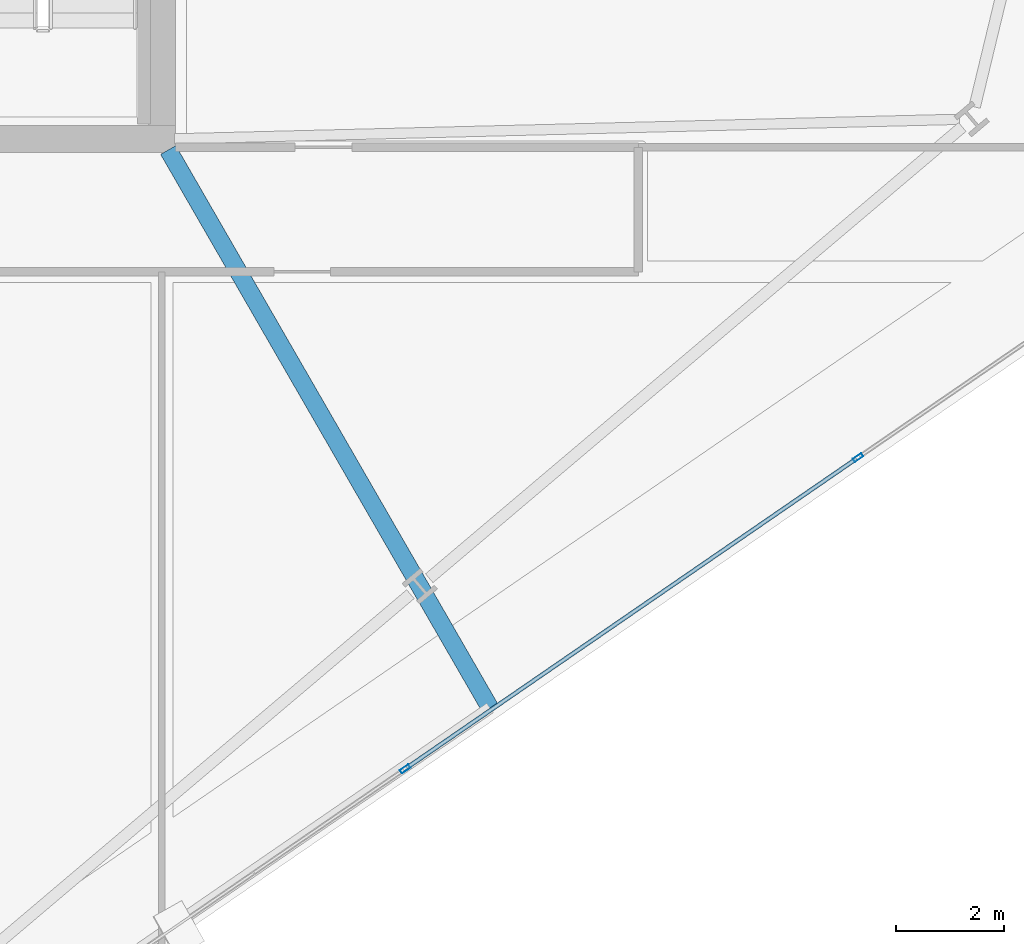
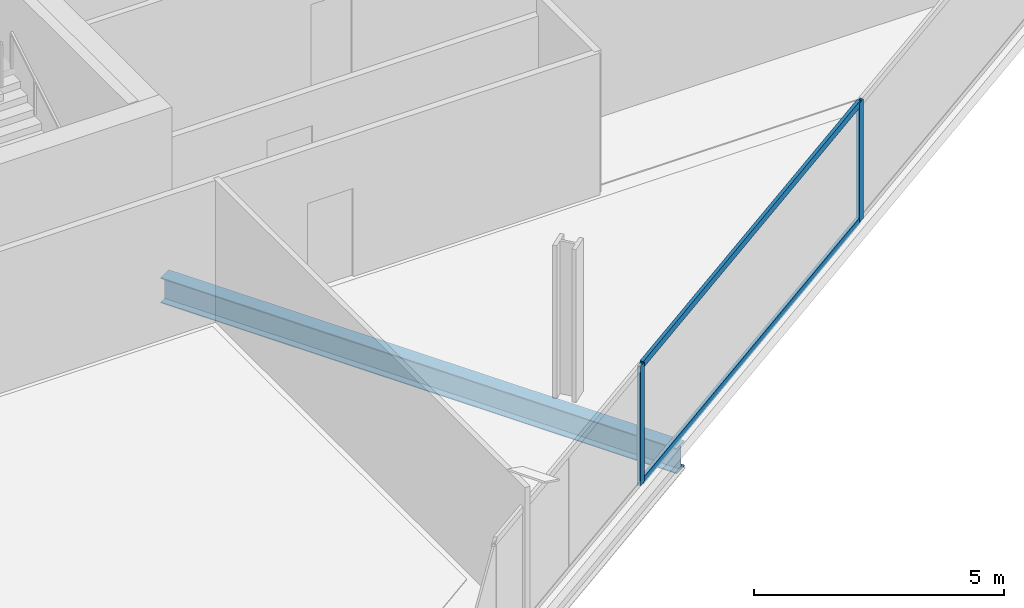
# One storey, part 8 of 29: 4 members, 1 beam, 1 element without a shape of its own.
"""IFC4 building model written with IfcOpenShell, lengths in metres."""

import ifcopenshell
import ifcopenshell.guid

model = None  # the IFC model being written
_history = None  # IfcOwnerHistory: only IFC2X3 demands one
_inside = {}  # id of a spatial element -> (the spatial element, [elements in it])
_under = {}  # id of a project, library or spatial element -> (it, [spatial elements below it])
_declared = {}  # id of a project -> (the project, [libraries it declares])
_typed = {}  # id of a type object -> (the type object, [elements of that type])
_made_of = {}  # id of a material, layer set ... -> (it, [elements and type objects made of it])


def new_model(schema):
    """Start an empty IFC model of exactly this schema.

    Asked for "IFC4X3", IfcOpenShell would pick the latest addendum, in which some entities
    have other attributes; the version numbers below select the first issue.
    IFC2X3 requires an IfcOwnerHistory on every rooted entity: one is made here for all.
    """
    global model, _history
    if schema == "IFC4X3":
        model = ifcopenshell.file(schema_version=(4, 3, 0, 0))
    else:
        model = ifcopenshell.file(schema=schema)
    _inside.clear()
    _under.clear()
    _declared.clear()
    _typed.clear()
    _made_of.clear()
    _history = None
    if model.schema == "IFC2X3":
        org = make("IfcOrganization", Name="unknown")
        user = make(
            "IfcPersonAndOrganization",
            ThePerson=make("IfcPerson", FamilyName="unknown"),
            TheOrganization=org,
        )
        app = make(
            "IfcApplication",
            ApplicationDeveloper=org,
            Version="unknown",
            ApplicationFullName="unknown",
            ApplicationIdentifier="unknown",
        )
        _history = make(
            "IfcOwnerHistory",
            OwningUser=user,
            OwningApplication=app,
            ChangeAction="ADDED",
            CreationDate=0,
        )
    return model


def make(cls, **values):
    """One entity of the class cls with the attributes given. An attribute that is None is left unset."""
    return model.create_entity(
        cls, **{name: value for name, value in values.items() if value is not None}
    )


def rooted(cls, **values):
    """An entity with a GlobalId (a new one), such as an element, a storey or a relation."""
    return make(cls, GlobalId=ifcopenshell.guid.new(), OwnerHistory=_history, **values)


def si_unit(unit_type, name, prefix=None):
    """IfcSIUnit, for example si_unit("LENGTHUNIT", "METRE", prefix="MILLI")."""
    return make("IfcSIUnit", UnitType=unit_type, Prefix=prefix, Name=name)


def assignment(units):
    """IfcUnitAssignment: the units of a project."""
    return None if units is None else make("IfcUnitAssignment", Units=units)


def point(xyz):
    """IfcCartesianPoint."""
    return None if xyz is None else make("IfcCartesianPoint", Coordinates=xyz)


def direction(xyz):
    """IfcDirection."""
    return None if xyz is None else make("IfcDirection", DirectionRatios=xyz)


def frame(location, z_axis=None, x_axis=None):
    """IfcAxis2Placement3D, a coordinate frame: its origin and axes. An axis left out is left unset."""
    return make(
        "IfcAxis2Placement3D",
        Location=point(location),
        Axis=direction(z_axis),
        RefDirection=direction(x_axis),
    )


def frame_2d(location, x_axis=None):
    """IfcAxis2Placement2D, a coordinate frame in the plane: its origin and x axis."""
    return make(
        "IfcAxis2Placement2D", Location=point(location), RefDirection=direction(x_axis)
    )


def origin():
    """The frame at (0, 0, 0) with its axes left unset."""
    return frame((0.0, 0.0, 0.0))


def origin_2d():
    """The frame at (0, 0) in the plane with its x axis left unset."""
    return frame_2d((0.0, 0.0))


def place(relative_to, where):
    """IfcLocalPlacement: puts the frame where relative to a parent placement (None: the world)."""
    return make(
        "IfcLocalPlacement", PlacementRelTo=relative_to, RelativePlacement=where
    )


def context(
    kind, dimensions, precision=None, world=None, true_north=None, identifier=None
):
    """IfcGeometricRepresentationContext, for example the 3D "Model" context."""
    return make(
        "IfcGeometricRepresentationContext",
        ContextIdentifier=identifier,
        ContextType=kind,
        CoordinateSpaceDimension=dimensions,
        Precision=precision,
        WorldCoordinateSystem=world,
        TrueNorth=true_north,
    )


def subcontext(parent, identifier, kind, view, scale=None):
    """IfcGeometricRepresentationSubContext, for example "Body" below "Model"."""
    return make(
        "IfcGeometricRepresentationSubContext",
        ContextIdentifier=identifier,
        ContextType=kind,
        ParentContext=parent,
        TargetScale=scale,
        TargetView=view,
    )


def project(units=None, contexts=None):
    """IfcProject with its units and contexts."""
    return rooted(
        "IfcProject",
        Name="project",
        RepresentationContexts=contexts,
        UnitsInContext=assignment(units),
    )


def spatial(cls, under=None, at=None, **own):
    """A site, building, storey or space (cls), placed at a placement, below another one or the project."""
    s = rooted(cls, ObjectPlacement=at, **own)
    if under is not None:
        _under.setdefault(under.id(), (under, []))[1].append(s)
    return s


def profile(cls, at=None, kind="AREA", **sizes):
    """A parametric profile (cls). Its sizes go by their IFC names, for example OverallWidth=200.0."""
    return make(cls, ProfileType=kind, Position=at, **sizes)


def hollow_rectangle(**sizes):
    """IfcRectangleHollowProfileDef."""
    return profile("IfcRectangleHollowProfileDef", **sizes)


def i_section(**sizes):
    """IfcIShapeProfileDef."""
    return profile("IfcIShapeProfileDef", **sizes)


def extrude(swept, where, along, depth):
    """IfcExtrudedAreaSolid: the profile swept, set in the frame where, extruded along a direction by depth."""
    return make(
        "IfcExtrudedAreaSolid",
        SweptArea=swept,
        Position=where,
        ExtrudedDirection=direction(along),
        Depth=depth,
    )


def shape(context_of_items, identifier, shape_type, items):
    """IfcShapeRepresentation: the items that make up one representation, for example the "Body"."""
    return make(
        "IfcShapeRepresentation",
        ContextOfItems=context_of_items,
        RepresentationIdentifier=identifier,
        RepresentationType=shape_type,
        Items=items,
    )


def material(Name=None, Category=None):
    """IfcMaterial."""
    return make("IfcMaterial", Name=Name, Category=Category)


def material_profile(
    of_material, cross_section, Name=None, Category=None, Priority=None
):
    """IfcMaterialProfile: a cross section and its material."""
    return make(
        "IfcMaterialProfile",
        Name=Name,
        Material=of_material,
        Profile=cross_section,
        Priority=Priority,
        Category=Category,
    )


def profile_set(profiles, Name=None, composite=None):
    """IfcMaterialProfileSet."""
    return make(
        "IfcMaterialProfileSet",
        Name=Name,
        MaterialProfiles=profiles,
        CompositeProfile=composite,
    )


def made_of(thing, what):
    """Note that an element or type object is made of a material, layer set ...; save() writes the relation."""
    if what is not None:
        _made_of.setdefault(what.id(), (what, []))[1].append(thing)
    return thing


def type_object(cls, material=None, **own):
    """A type object (cls), such as IfcWallType, which elements share."""
    return made_of(rooted(cls, **own), material)


def element(
    cls,
    number,
    at=None,
    inside=None,
    cuts=None,
    type_object=None,
    material=None,
    context=None,
    identifier="Body",
    shape_type=None,
    held_by="IfcProductDefinitionShape",
    body=None,
    shapes=None,
    **own,
):
    """One element of the class cls, such as IfcWall. Its Tag is "e" and its number.

    at: its placement. inside: the storey or other place that contains it. cuts: it is an
    opening in that element (IfcRelVoidsElement). A single representation is given by context,
    identifier, shape_type and body (its items); several are given by shapes. held_by: the class
    of the entity that holds the representations. save() writes the other relations.
    """
    e = rooted(cls, Tag="e%d" % number, ObjectPlacement=at, **own)
    if body is not None:
        shapes = [shape(context, identifier, shape_type, body)]
    if shapes is not None:
        e.Representation = make(held_by, Representations=shapes)
    if inside is not None:
        _inside.setdefault(inside.id(), (inside, []))[1].append(e)
    if cuts is not None:
        rooted(
            "IfcRelVoidsElement", RelatingBuildingElement=cuts, RelatedOpeningElement=e
        )
    if type_object is not None:
        _typed.setdefault(type_object.id(), (type_object, []))[1].append(e)
    return made_of(e, material)


def aggregate(whole, parts):
    """IfcRelAggregates: a whole, such as a stair, and the parts it consists of."""
    return rooted("IfcRelAggregates", RelatingObject=whole, RelatedObjects=parts)


def save(model, path):
    """Write the relations noted so far, then the file.

    IfcRelAggregates (storeys below a building ...), IfcRelContainedInSpatialStructure (elements
    in a storey), IfcRelDefinesByType, IfcRelAssociatesMaterial and IfcRelDeclares: one each for
    every whole, place, type object, material and project.
    """
    for whole, parts in _under.values():
        aggregate(whole, parts)
    for where, things in _inside.values():
        rooted(
            "IfcRelContainedInSpatialStructure",
            RelatedElements=things,
            RelatingStructure=where,
        )
    for kind, things in _typed.values():
        rooted("IfcRelDefinesByType", RelatedObjects=things, RelatingType=kind)
    for what, things in _made_of.values():
        rooted("IfcRelAssociatesMaterial", RelatedObjects=things, RelatingMaterial=what)
    for by, libraries in _declared.values():
        rooted("IfcRelDeclares", RelatingContext=by, RelatedDefinitions=libraries)
    model.write(path)


model = new_model("IFC4")

# Units and contexts
model_context = context("Model", 3, precision=1e-05, world=origin(), true_north=direction((0.0, 1.0)))
body_context = subcontext(model_context, "Body", "Model", "MODEL_VIEW")
ifc_project = project(units=[si_unit("LENGTHUNIT", "METRE"), si_unit("AREAUNIT", "SQUARE_METRE"), si_unit("VOLUMEUNIT", "CUBIC_METRE"), si_unit("PLANEANGLEUNIT", "RADIAN"), si_unit("MASSUNIT", "GRAM", prefix="KILO")], contexts=[model_context])

# Site, building, storey
site_placement = place(None, origin())
site = spatial("IfcSite", under=ifc_project, at=site_placement, CompositionType="ELEMENT")
building_placement = place(site_placement, origin())
building = spatial("IfcBuilding", under=site, at=building_placement, Name="Haldenkirk Collegiate Tower", CompositionType="ELEMENT")
storey_placement = place(building_placement, frame((0.0, 0.0, 144.449951171875)))
storey = spatial("IfcBuildingStorey", under=building, at=storey_placement, Name="L35", CompositionType="ELEMENT", Elevation=144.449951171875)

# Beam
ifc_material_1 = material(Name="Steel ASTM A992 Grade 50", Category="steel")
ifc_material_profile_1 = material_profile(ifc_material_1, i_section(OverallWidth=0.324951171875, OverallDepth=0.615966796875, WebThickness=0.013916015625, FlangeThickness=0.021484375, at=origin_2d()), Name="W24X117")
ifc_profile_set_1 = profile_set([ifc_material_profile_1], Name="Steel ASTM A992 Grade 50")
beam_type = type_object("IfcBeamType", Name="BM-GIRDER-W24X117", PredefinedType="BEAM", material=ifc_profile_set_1)
beam_placement = place(storey_placement, frame((51.05908203125, 7.4951171875, -0.597900390625), z_axis=(-0.499628886801, 0.866239560095, 0.0), x_axis=(-0.866239560095, -0.499628886801, 0.0)))
element("IfcBeam", 1, at=beam_placement, inside=storey, type_object=beam_type, Name="L35 primary floor girder 06", PredefinedType="BEAM", context=body_context, shape_type="SweptSolid", body=[
    extrude(i_section(OverallWidth=0.324951171875, OverallDepth=0.615966796875, WebThickness=0.013916015625, FlangeThickness=0.021484375, at=origin_2d()), origin(), (0.0, 0.0, 1.0), 11.89697265625),
])

# Curtain wall, members
ifc_material_2 = material(Name="Anodised architectural bronze aluminium", Category="aluminium")
curtain_wall_type = type_object("IfcCurtainWallType", Name="CW-SYS2-CONCAVE", PredefinedType="USERDEFINED", material=ifc_material_2)
curtain_wall_placement = place(storey_placement, origin())
curtain_wall = element("IfcCurtainWall", 2, at=curtain_wall_placement, inside=storey, type_object=curtain_wall_type, Name="L35 South concave recessed bronze-anodised curtain wall", ObjectType="UNITISED CURTAIN WALL", PredefinedType="USERDEFINED")
ifc_material_profile_2 = material_profile(ifc_material_2, hollow_rectangle(XDim=0.074951171875, YDim=0.18994140625, WallThickness=0.0048828125, at=origin_2d()), Name="CW-MUL-02")
ifc_profile_set_2 = profile_set([ifc_material_profile_2], Name="Anodised architectural bronze aluminium")
member_type_1 = type_object("IfcMemberType", Name="CW-MUL-02", PredefinedType="MULLION", material=ifc_profile_set_2)
member_1_placement = place(storey_placement, frame((57.856689453125, 12.118408203125, 0.0), z_axis=(0.0, 0.0, 1.0), x_axis=(0.566404944893, -0.82412707661, 0.0)))
member_1 = element("IfcMember", 3, at=member_1_placement, type_object=member_type_1, Name="CW-02 mullion 2", PredefinedType="MULLION", context=body_context, shape_type="SweptSolid", body=[
    extrude(hollow_rectangle(XDim=0.074951171875, YDim=0.18994140625, WallThickness=0.0048828125, at=origin_2d()), origin(), (0.0, 0.0, 1.0), 2.9111328125),
])
member_2_placement = place(storey_placement, frame((49.49169921875, 6.369384765625, 0.0), z_axis=(0.0, 0.0, 1.0), x_axis=(0.566404944893, -0.82412707661, 0.0)))
member_2 = element("IfcMember", 4, at=member_2_placement, type_object=member_type_1, Name="CW-02 mullion 3", PredefinedType="MULLION", context=body_context, shape_type="SweptSolid", body=[
    extrude(hollow_rectangle(XDim=0.074951171875, YDim=0.18994140625, WallThickness=0.0048828125, at=origin_2d()), origin(), (0.0, 0.0, 1.0), 2.9111328125),
])
ifc_material_profile_3 = material_profile(ifc_material_2, hollow_rectangle(XDim=0.074951171875, YDim=0.159912109375, WallThickness=0.0048828125, at=origin_2d()), Name="CW-TRN-02")
ifc_profile_set_3 = profile_set([ifc_material_profile_3], Name="Anodised architectural bronze aluminium")
member_type_2 = type_object("IfcMemberType", Name="CW-TRN-02", PredefinedType="USERDEFINED", material=ifc_profile_set_3)
member_3_placement = place(storey_placement, frame((57.82568359375, 12.09716796875, 0.03759765625), z_axis=(-0.824123226368, -0.566410547006, 0.0), x_axis=(0.566410547006, -0.824123226368, 0.0)))
member_3 = element("IfcMember", 5, at=member_3_placement, type_object=member_type_2, Name="CW-02 transom 2.1", ObjectType="TRANSOM", PredefinedType="USERDEFINED", context=body_context, shape_type="SweptSolid", body=[
    extrude(hollow_rectangle(XDim=0.074951171875, YDim=0.159912109375, WallThickness=0.0048828125, at=origin_2d()), origin(), (0.0, 0.0, 1.0), 10.074951171875),
])
member_4_placement = place(storey_placement, frame((57.82568359375, 12.09716796875, 2.87353515625), z_axis=(-0.824123226368, -0.566410547006, 0.0), x_axis=(0.566410547006, -0.824123226368, 0.0)))
member_4 = element("IfcMember", 6, at=member_4_placement, type_object=member_type_2, Name="CW-02 transom 2.2", ObjectType="TRANSOM", PredefinedType="USERDEFINED", context=body_context, shape_type="SweptSolid", body=[
    extrude(hollow_rectangle(XDim=0.074951171875, YDim=0.159912109375, WallThickness=0.0048828125, at=origin_2d()), origin(), (0.0, 0.0, 1.0), 10.074951171875),
])
aggregate(curtain_wall, [member_1, member_2, member_3, member_4])

save(model, "model.ifc")
